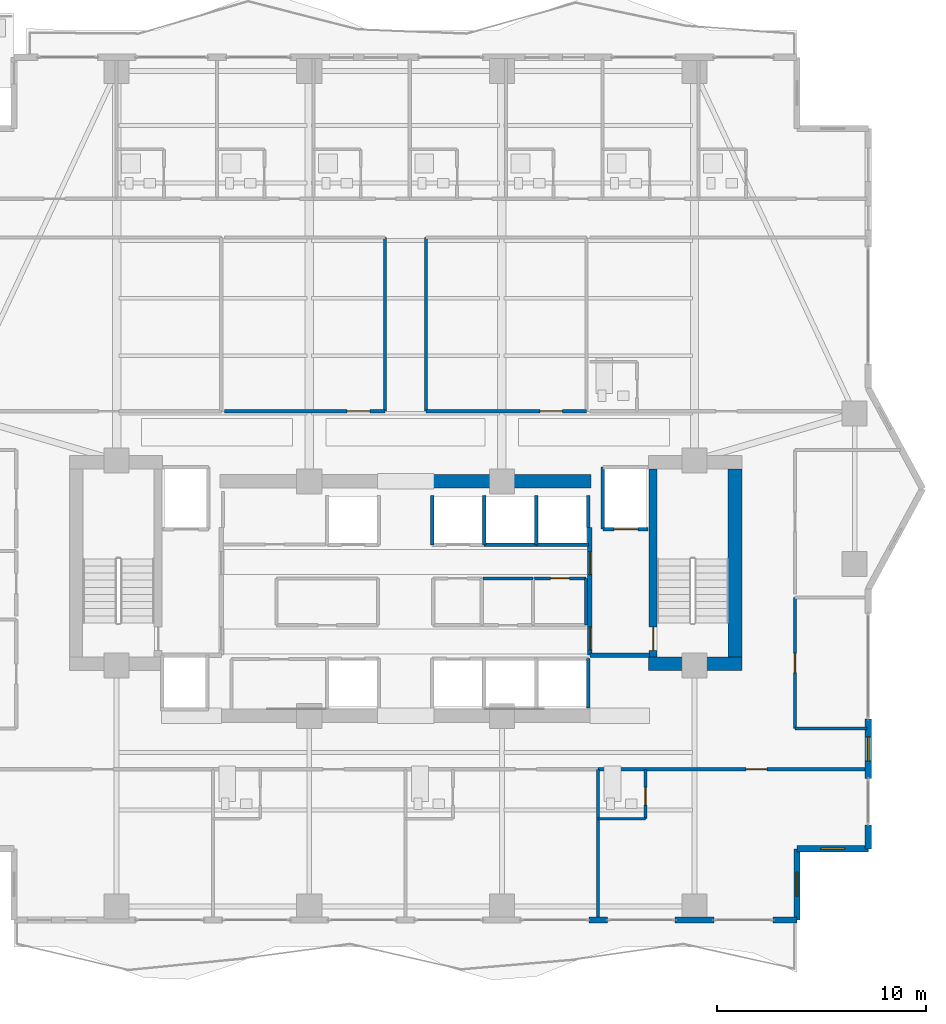
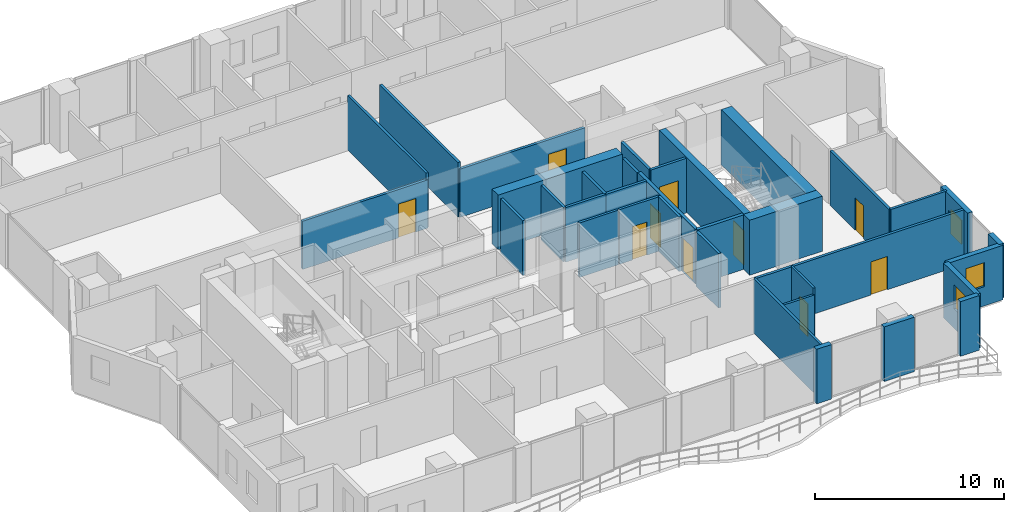
# One storey, part 26 of 33: 35 walls, 10 doors, 3 windows, 13 openings.
"""IFC4 building model written with IfcOpenShell, lengths in metres."""

from ifc_helpers import new_model, si_unit, direction, frame, frame_2d, origin, place, context, subcontext, project, spatial, rectangle, extrude, material, layer, layer_set, type_object, element, fill, save


model = new_model("IFC4")

# Units and contexts
model_context = context("Model", 3, precision=1e-05, world=origin(), true_north=direction((0.0, 1.0)))
body_context = subcontext(model_context, "Body", "Model", "MODEL_VIEW")
ifc_project = project(units=[si_unit("LENGTHUNIT", "METRE"), si_unit("AREAUNIT", "SQUARE_METRE"), si_unit("VOLUMEUNIT", "CUBIC_METRE"), si_unit("PLANEANGLEUNIT", "RADIAN"), si_unit("MASSUNIT", "GRAM", prefix="KILO")], contexts=[model_context])

# Site, building, storey
site_placement = place(None, origin())
site = spatial("IfcSite", under=ifc_project, at=site_placement, CompositionType="ELEMENT")
building_placement = place(site_placement, origin())
building = spatial("IfcBuilding", under=site, at=building_placement, Name="Zuhayl Quay Hotel", CompositionType="ELEMENT")
storey_placement = place(building_placement, frame((0.0, 0.0, 222.39990234375)))
storey = spatial("IfcBuildingStorey", under=building, at=storey_placement, Name="L56", CompositionType="ELEMENT", Elevation=222.39990234375)

# Walls
ifc_material_1 = material(Name="Concrete C50/60", Category="concrete")
ifc_layer_1 = layer(ifc_material_1, 0.64990234375, Name="Concrete C50/60", Category="concrete")
ifc_layer_set_1 = layer_set([ifc_layer_1], Name="Concrete C50/60")
wall_type_1 = type_object("IfcWallType", Name="WL_CORE_650", PredefinedType="SHEAR", material=ifc_layer_set_1)
wall_1_placement = place(storey_placement, frame((15.735107421875, 4.969970703125, 0.0), z_axis=(0.0, 0.0, 1.0), x_axis=(0.0, 1.0, 0.0)))
element("IfcWall", 1, at=wall_1_placement, inside=storey, type_object=wall_type_1, Name="L56 Core Shear Wall CW_E", PredefinedType="SHEAR", context=body_context, shape_type="SweptSolid", body=[
    extrude(rectangle(XDim=8.9599609375, YDim=0.64990234375, at=frame_2d((4.47998046875, 0.0))), origin(), (0.0, 0.0, 1.0), 3.56005859375),
])
wall_2_placement = place(storey_placement, frame((11.60009765625, 4.64501953125, 0.0), z_axis=(0.0, 0.0, 1.0), x_axis=(1.0, 0.0, 0.0)))
element("IfcWall", 2, at=wall_2_placement, inside=storey, type_object=wall_type_1, Name="L56 Core Shear Wall CW_SE", PredefinedType="SHEAR", context=body_context, shape_type="SweptSolid", body=[
    extrude(rectangle(XDim=4.4599609375, YDim=0.64990234375, at=frame_2d((2.22998046875, 0.0))), origin(), (0.0, 0.0, 1.0), 3.56005859375),
])
wall_3_placement = place(storey_placement, frame((1.25, 13.35009765625, 0.0), z_axis=(0.0, 0.0, 1.0), x_axis=(1.0, 0.0, 0.0)))
element("IfcWall", 3, at=wall_3_placement, inside=storey, type_object=wall_type_1, Name="L56 Core Shear Wall CW_NC_E", PredefinedType="SHEAR", context=body_context, shape_type="SweptSolid", body=[
    extrude(rectangle(XDim=7.60009765625, YDim=0.64990234375, at=frame_2d((3.800048828125, 0.0))), origin(), (0.0, 0.0, 1.0), 3.530029296875),
])

# Wall, opening, window
ifc_material_2 = material(Name="Precast concrete C45/55", Category="concrete")
ifc_layer_2 = layer(ifc_material_2, 0.300048828125, Name="Precast concrete C45/55", Category="concrete")
ifc_layer_set_2 = layer_set([ifc_layer_2], Name="Precast concrete C45/55")
wall_type_2 = type_object("IfcWallType", Name="WL_EXT_300", PredefinedType="STANDARD", material=ifc_layer_set_2)
wall_4_placement = place(storey_placement, frame((22.10009765625, 2.0, 0.0), z_axis=(0.0, 0.0, 1.0), x_axis=(0.0, -1.0, 0.0)))
wall_4 = element("IfcWall", 4, at=wall_4_placement, inside=storey, type_object=wall_type_2, Name="L56 Exterior Precast Wall ENV_L56_E14_EW2", PredefinedType="STANDARD", context=body_context, shape_type="SweptSolid", body=[
    extrude(rectangle(XDim=2.85009765625, YDim=0.300048828125, at=frame_2d((1.425048828125, 0.0))), origin(), (0.0, 0.0, 1.0), 3.530029296875),
])
opening_1_placement = place(wall_4_placement, frame((0.85009765625, 0.0, 0.949951171875)))
opening_1 = element("IfcOpeningElement", 5, at=opening_1_placement, cuts=wall_4, Name="Opening W01N", PredefinedType="OPENING", context=body_context, shape_type="SweptSolid", body=[
    extrude(rectangle(XDim=1.14990234375, YDim=1.550048828125, at=frame_2d((0.574951171875, 0.77490234375))), frame((0.0, 0.159912109375, 0.0), z_axis=(0.0, -1.0, 0.0), x_axis=(1.0, 0.0, 0.0)), (0.0, 0.0, 1.0), 0.320068359375),
])
ifc_material_3 = material(Name="Dark Ceramic-Fritted Solar Glass", Category="glass")
window_type = type_object("IfcWindowType", Name="WN_NOTCH_1350", PartitioningType="SINGLE_PANEL", PredefinedType="WINDOW", material=ifc_material_3)
window_1_placement = place(opening_1_placement, origin())
window_1 = element("IfcWindow", 6, at=window_1_placement, inside=storey, type_object=window_type, Name="L56 Operable Facade Window 2-1", OverallHeight=1.550048828125, OverallWidth=1.14990234375, PartitioningType="SINGLE_PANEL", PredefinedType="WINDOW", context=body_context, shape_type="SweptSolid", body=[
    extrude(rectangle(XDim=1.14990234375, YDim=1.550048828125, at=frame_2d((0.574951171875, 0.77490234375))), frame((0.0, 0.030029296875, 0.0), z_axis=(0.0, -1.0, 0.0), x_axis=(1.0, 0.0, 0.0)), (0.0, 0.0, 1.0), 0.06005859375),
])
fill(opening_1, window_1)

# Wall
wall_5_placement = place(storey_placement, frame((22.10009765625, -3.050048828125, 0.0), z_axis=(0.0, 0.0, 1.0), x_axis=(0.0, -1.0, 0.0)))
element("IfcWall", 7, at=wall_5_placement, inside=storey, type_object=wall_type_2, Name="L56 Exterior Precast Wall ENV_L56_E14_EW3", PredefinedType="STANDARD", context=body_context, shape_type="SweptSolid", body=[
    extrude(rectangle(XDim=1.14990234375, YDim=0.300048828125, at=frame_2d((0.574951171875, 0.0))), origin(), (0.0, 0.0, 1.0), 3.530029296875),
])

# Wall, opening, window
wall_6_placement = place(storey_placement, frame((22.10009765625, -4.199951171875, 0.0), z_axis=(0.0, 0.0, 1.0), x_axis=(-1.0, 0.0, 0.0)))
wall_6 = element("IfcWall", 8, at=wall_6_placement, inside=storey, type_object=wall_type_2, Name="L56 Exterior Precast Wall ENV_L56_EW15", PredefinedType="STANDARD", context=body_context, shape_type="SweptSolid", body=[
    extrude(rectangle(XDim=3.400146484375, YDim=0.300048828125, at=frame_2d((1.7001953125, 0.0))), origin(), (0.0, 0.0, 1.0), 3.530029296875),
])
opening_2_placement = place(wall_6_placement, frame((1.125, 0.0, 1.25)))
opening_2 = element("IfcOpeningElement", 9, at=opening_2_placement, cuts=wall_6, Name="Opening W01N", PredefinedType="OPENING", context=body_context, shape_type="SweptSolid", body=[
    extrude(rectangle(XDim=1.14990234375, YDim=1.550048828125, at=frame_2d((0.574951171875, 0.77490234375))), frame((0.0, 0.159912109375, 0.0), z_axis=(0.0, -1.0, 0.0), x_axis=(1.0, 0.0, 0.0)), (0.0, 0.0, 1.0), 0.320068359375),
])
window_2_placement = place(opening_2_placement, origin())
window_2 = element("IfcWindow", 10, at=window_2_placement, inside=storey, type_object=window_type, Name="L56 Corner Notch Window 15", OverallHeight=1.550048828125, OverallWidth=1.14990234375, PartitioningType="SINGLE_PANEL", PredefinedType="WINDOW", context=body_context, shape_type="SweptSolid", body=[
    extrude(rectangle(XDim=1.14990234375, YDim=1.550048828125, at=frame_2d((0.574951171875, 0.77490234375))), frame((0.0, 0.030029296875, 0.0), z_axis=(0.0, -1.0, 0.0), x_axis=(1.0, 0.0, 0.0)), (0.0, 0.0, 1.0), 0.06005859375),
])
fill(opening_2, window_2)

wall_7_placement = place(storey_placement, frame((18.699951171875, -4.199951171875, 0.0), z_axis=(0.0, 0.0, 1.0), x_axis=(0.0, -1.0, 0.0)))
wall_7 = element("IfcWall", 11, at=wall_7_placement, inside=storey, type_object=wall_type_2, Name="L56 Exterior Precast Wall ENV_L56_EW16", PredefinedType="STANDARD", context=body_context, shape_type="SweptSolid", body=[
    extrude(rectangle(XDim=3.400146484375, YDim=0.300048828125, at=frame_2d((1.7001953125, 0.0))), origin(), (0.0, 0.0, 1.0), 3.530029296875),
])
opening_3_placement = place(wall_7_placement, frame((1.125, 0.0, 1.25)))
opening_3 = element("IfcOpeningElement", 12, at=opening_3_placement, cuts=wall_7, Name="Opening W01N", PredefinedType="OPENING", context=body_context, shape_type="SweptSolid", body=[
    extrude(rectangle(XDim=1.14990234375, YDim=1.550048828125, at=frame_2d((0.574951171875, 0.77490234375))), frame((0.0, 0.159912109375, 0.0), z_axis=(0.0, -1.0, 0.0), x_axis=(1.0, 0.0, 0.0)), (0.0, 0.0, 1.0), 0.320068359375),
])
window_3_placement = place(opening_3_placement, origin())
window_3 = element("IfcWindow", 13, at=window_3_placement, inside=storey, type_object=window_type, Name="L56 Corner Notch Window 16", OverallHeight=1.550048828125, OverallWidth=1.14990234375, PartitioningType="SINGLE_PANEL", PredefinedType="WINDOW", context=body_context, shape_type="SweptSolid", body=[
    extrude(rectangle(XDim=1.14990234375, YDim=1.550048828125, at=frame_2d((0.574951171875, 0.77490234375))), frame((0.0, 0.030029296875, 0.0), z_axis=(0.0, -1.0, 0.0), x_axis=(1.0, 0.0, 0.0)), (0.0, 0.0, 1.0), 0.06005859375),
])
fill(opening_3, window_3)

# Walls
wall_8_placement = place(storey_placement, frame((18.699951171875, -7.60009765625, 0.0), z_axis=(0.0, 0.0, 1.0), x_axis=(-1.0, 0.0, 0.0)))
element("IfcWall", 14, at=wall_8_placement, inside=storey, type_object=wall_type_2, Name="L56 Exterior Precast Wall ENV_L56_S_EW1", PredefinedType="STANDARD", context=body_context, shape_type="SweptSolid", body=[
    extrude(rectangle(XDim=1.14990234375, YDim=0.300048828125, at=frame_2d((0.574951171875, 0.0))), origin(), (0.0, 0.0, 1.0), 3.530029296875),
])
wall_9_placement = place(storey_placement, frame((14.719970703125, -7.60009765625, 0.0), z_axis=(0.0, 0.0, 1.0), x_axis=(-1.0, 0.0, 0.0)))
element("IfcWall", 15, at=wall_9_placement, inside=storey, type_object=wall_type_2, Name="L56 Exterior Precast Wall ENV_L56_S_EW2", PredefinedType="STANDARD", context=body_context, shape_type="SweptSolid", body=[
    extrude(rectangle(XDim=1.840087890625, YDim=0.300048828125, at=frame_2d((0.919921875, 0.0))), origin(), (0.0, 0.0, 1.0), 3.530029296875),
])
wall_10_placement = place(storey_placement, frame((9.64990234375, -7.60009765625, 0.0), z_axis=(0.0, 0.0, 1.0), x_axis=(-1.0, 0.0, 0.0)))
element("IfcWall", 16, at=wall_10_placement, inside=storey, type_object=wall_type_2, Name="L56 Exterior Precast Wall ENV_L56_S_EW3", PredefinedType="STANDARD", context=body_context, shape_type="SweptSolid", body=[
    extrude(rectangle(XDim=0.89990234375, YDim=0.300048828125, at=frame_2d((0.449951171875, 0.0))), origin(), (0.0, 0.0, 1.0), 3.530029296875),
])

# Wall, opening, door
ifc_material_4 = material(Name="Acoustic Gypsum Partition STC-58")
ifc_layer_3 = layer(ifc_material_4, 0.14990234375, Name="Acoustic Gypsum Partition STC-58")
ifc_layer_set_3 = layer_set([ifc_layer_3], Name="Acoustic Gypsum Partition STC-58")
wall_type_3 = type_object("IfcWallType", Name="WL_PART_150", PredefinedType="PARTITIONING", material=ifc_layer_set_3)
wall_11_placement = place(storey_placement, frame((6.139892578125, 8.719970703125, 0.0), z_axis=(0.0, 0.0, 1.0), x_axis=(1.0, 0.0, 0.0)))
wall_11 = element("IfcWall", 17, at=wall_11_placement, inside=storey, type_object=wall_type_3, Name="L56 Partition IW_L56_CORE_E3_N", PredefinedType="PARTITIONING", context=body_context, shape_type="SweptSolid", body=[
    extrude(rectangle(XDim=2.47021484375, YDim=0.14990234375, at=frame_2d((1.235107421875, 0.0))), origin(), (0.0, 0.0, 1.0), 3.530029296875),
])
opening_4_placement = place(wall_11_placement, frame((0.784912109375, 0.0, 0.0)))
opening_4 = element("IfcOpeningElement", 18, at=opening_4_placement, cuts=wall_11, Name="Opening D06", PredefinedType="OPENING", context=body_context, shape_type="SweptSolid", body=[
    extrude(rectangle(XDim=0.89990234375, YDim=2.14990234375, at=frame_2d((0.449951171875, 1.074951171875))), frame((0.0, 0.0849609375, 0.0), z_axis=(0.0, -1.0, 0.0), x_axis=(1.0, 0.0, 0.0)), (0.0, 0.0, 1.0), 0.169921875),
])
ifc_material_5 = material(Name="Steel ASTM A992 Grade 50", Category="steel")
door_type_1 = type_object("IfcDoorType", Name="DR_INT_900", OperationType="NOTDEFINED", PredefinedType="DOOR", material=ifc_material_5)
door_1_placement = place(opening_4_placement, origin())
door_1 = element("IfcDoor", 19, at=door_1_placement, inside=storey, type_object=door_type_1, Name="L56 Janitor and Cleaners Store Door", OperationType="SINGLE_SWING_LEFT", OverallHeight=2.14990234375, OverallWidth=0.89990234375, PredefinedType="DOOR", context=body_context, shape_type="SweptSolid", body=[
    extrude(rectangle(XDim=0.89990234375, YDim=2.14990234375, at=frame_2d((0.449951171875, 1.074951171875))), frame((0.0, 0.02490234375, 0.0), z_axis=(0.0, -1.0, 0.0), x_axis=(1.0, 0.0, 0.0)), (0.0, 0.0, 1.0), 0.050048828125),
])
fill(opening_4, door_1)

# Walls
wall_12_placement = place(storey_placement, frame((3.699951171875, 8.719970703125, 0.0), z_axis=(0.0, 0.0, 1.0), x_axis=(1.0, 0.0, 0.0)))
element("IfcWall", 20, at=wall_12_placement, inside=storey, type_object=wall_type_3, Name="L56 Partition IW_L56_CORE_E2_N", PredefinedType="PARTITIONING", context=body_context, shape_type="SweptSolid", body=[
    extrude(rectangle(XDim=2.380126953125, YDim=0.14990234375, at=frame_2d((1.18994140625, 0.0))), origin(), (0.0, 0.0, 1.0), 3.530029296875),
])
wall_13_placement = place(storey_placement, frame((8.610107421875, 6.47998046875, 0.0), z_axis=(0.0, 0.0, 1.0), x_axis=(0.0, 1.0, 0.0)))
element("IfcWall", 21, at=wall_13_placement, inside=storey, type_object=wall_type_3, Name="L56 Partition IW_L56_CORE_E3_E", PredefinedType="PARTITIONING", context=body_context, shape_type="SweptSolid", body=[
    extrude(rectangle(XDim=2.239990234375, YDim=0.14990234375, at=frame_2d((1.1201171875, 0.0))), origin(), (0.0, 0.0, 1.0), 3.530029296875),
])
for number, where, z_axis, x_axis, name in (
    (22, (-0.97998046875, 16.699951171875, 0.0), (0.0, 0.0, 1.0), (0.0, 1.0, 0.0), "L56 Partition IW_L56_Z3_MID_W_E"),
    (23, (0.97998046875, 16.699951171875, 0.0), (0.0, 0.0, 1.0), (0.0, 1.0, 0.0), "L56 Partition IW_L56_Z3_MID_E_W"),
):
    element("IfcWall", number, at=place(storey_placement, frame(where, z_axis=z_axis, x_axis=x_axis)), inside=storey, type_object=wall_type_3, Name=name, PredefinedType="PARTITIONING", context=body_context, shape_type="SweptSolid", body=[
        extrude(rectangle(XDim=8.300048828125, YDim=0.14990234375, at=frame_2d((4.14990234375, 0.0))), origin(), (0.0, 0.0, 1.0), 3.530029296875),
    ])
wall_14_placement = place(storey_placement, frame((9.199951171875, -7.52001953125, 0.0), z_axis=(0.0, 0.0, 1.0), x_axis=(0.0, 1.0, 0.0)))
element("IfcWall", 24, at=wall_14_placement, inside=storey, type_object=wall_type_3, Name="L56 Partition IW_L56_SU03_E", PredefinedType="PARTITIONING", context=body_context, shape_type="SweptSolid", body=[
    extrude(rectangle(XDim=7.1201171875, YDim=0.14990234375, at=frame_2d((3.56005859375, 0.0))), origin(), (0.0, 0.0, 1.0), 3.530029296875),
])
wall_15_placement = place(storey_placement, frame((18.60009765625, 1.550048828125, 0.0), z_axis=(0.0, 0.0, 1.0), x_axis=(1.0, 0.0, 0.0)))
element("IfcWall", 25, at=wall_15_placement, inside=storey, type_object=wall_type_3, Name="L56 Partition IW_L56_HK_MAIN_S", PredefinedType="PARTITIONING", context=body_context, shape_type="SweptSolid", body=[
    extrude(rectangle(XDim=3.43994140625, YDim=0.14990234375, at=frame_2d((1.719970703125, 0.0))), origin(), (0.0, 0.0, 1.0), 3.530029296875),
])

# Wall, opening, door
ifc_layer_4 = layer(ifc_material_4, 0.159912109375, Name="Acoustic Gypsum Partition STC-58")
ifc_layer_set_4 = layer_set([ifc_layer_4], Name="Acoustic Gypsum Partition STC-58")
wall_type_4 = type_object("IfcWallType", Name="WL_PART_CORR_160", PredefinedType="PARTITIONING", material=ifc_layer_set_4)
wall_16_placement = place(storey_placement, frame((-8.639892578125, 16.699951171875, 0.0), z_axis=(0.0, 0.0, 1.0), x_axis=(1.0, 0.0, 0.0)))
wall_16 = element("IfcWall", 26, at=wall_16_placement, inside=storey, type_object=wall_type_4, Name="L56 Partition IW_L56_Z3_MID_W_S", PredefinedType="PARTITIONING", context=body_context, shape_type="SweptSolid", body=[
    extrude(rectangle(XDim=7.659912109375, YDim=0.159912109375, at=frame_2d((3.830078125, 0.0))), origin(), (0.0, 0.0, 1.0), 3.1240234375),
])
opening_5_placement = place(wall_16_placement, frame((5.85009765625, 0.0, 0.0)))
opening_5 = element("IfcOpeningElement", 27, at=opening_5_placement, cuts=wall_16, Name="Opening D05A", PredefinedType="OPENING", context=body_context, shape_type="SweptSolid", body=[
    extrude(rectangle(XDim=1.080078125, YDim=2.179931640625, at=frame_2d((0.5400390625, 1.08984375))), frame((0.0, 0.08984375, 0.0), z_axis=(0.0, -1.0, 0.0), x_axis=(1.0, 0.0, 0.0)), (0.0, 0.0, 1.0), 0.179931640625),
])
ifc_material_6 = material(Name="Solid Walnut Acoustic Fire Door")
door_type_2 = type_object("IfcDoorType", Name="DR_INT_1100", OperationType="NOTDEFINED", PredefinedType="DOOR", material=ifc_material_6)
door_2_placement = place(opening_5_placement, origin())
door_2 = element("IfcDoor", 28, at=door_2_placement, inside=storey, type_object=door_type_2, Name="L56 Club Salon Boardroom Door", OperationType="SINGLE_SWING_RIGHT", OverallHeight=2.179931640625, OverallWidth=1.080078125, PredefinedType="DOOR", context=body_context, shape_type="SweptSolid", body=[
    extrude(rectangle(XDim=1.080078125, YDim=2.179931640625, at=frame_2d((0.5400390625, 1.08984375))), frame((0.0, 0.02490234375, 0.0), z_axis=(0.0, -1.0, 0.0), x_axis=(1.0, 0.0, 0.0)), (0.0, 0.0, 1.0), 0.050048828125),
])
fill(opening_5, door_2)

wall_17_placement = place(storey_placement, frame((0.97998046875, 16.699951171875, 0.0), z_axis=(0.0, 0.0, 1.0), x_axis=(1.0, 0.0, 0.0)))
wall_17 = element("IfcWall", 29, at=wall_17_placement, inside=storey, type_object=wall_type_4, Name="L56 Partition IW_L56_Z3_MID_E_S", PredefinedType="PARTITIONING", context=body_context, shape_type="SweptSolid", body=[
    extrude(rectangle(XDim=7.659912109375, YDim=0.159912109375, at=frame_2d((3.830078125, 0.0))), origin(), (0.0, 0.0, 1.0), 3.1240234375),
])
opening_6_placement = place(wall_17_placement, frame((5.429931640625, 0.0, 0.0)))
opening_6 = element("IfcOpeningElement", 30, at=opening_6_placement, cuts=wall_17, Name="Opening D05A", PredefinedType="OPENING", context=body_context, shape_type="SweptSolid", body=[
    extrude(rectangle(XDim=1.080078125, YDim=2.179931640625, at=frame_2d((0.5400390625, 1.08984375))), frame((0.0, 0.08984375, 0.0), z_axis=(0.0, -1.0, 0.0), x_axis=(1.0, 0.0, 0.0)), (0.0, 0.0, 1.0), 0.179931640625),
])
door_3_placement = place(opening_6_placement, origin())
door_3 = element("IfcDoor", 31, at=door_3_placement, inside=storey, type_object=door_type_2, Name="L56 Horizon Screening Salon Door", OperationType="SINGLE_SWING_LEFT", OverallHeight=2.179931640625, OverallWidth=1.080078125, PredefinedType="DOOR", context=body_context, shape_type="SweptSolid", body=[
    extrude(rectangle(XDim=1.080078125, YDim=2.179931640625, at=frame_2d((0.5400390625, 1.08984375))), frame((0.0, 0.02490234375, 0.0), z_axis=(0.0, -1.0, 0.0), x_axis=(1.0, 0.0, 0.0)), (0.0, 0.0, 1.0), 0.050048828125),
])
fill(opening_6, door_3)

wall_18_placement = place(storey_placement, frame((9.199951171875, -0.39990234375, 0.0), z_axis=(0.0, 0.0, 1.0), x_axis=(1.0, 0.0, 0.0)))
wall_18 = element("IfcWall", 32, at=wall_18_placement, inside=storey, type_object=wall_type_4, Name="L56 Partition IW_L56_SU04_COR", PredefinedType="PARTITIONING", context=body_context, shape_type="SweptSolid", body=[
    extrude(rectangle(XDim=12.840087890625, YDim=0.159912109375, at=frame_2d((6.419921875, 0.0))), origin(), (0.0, 0.0, 1.0), 3.530029296875),
])
opening_7_placement = place(wall_18_placement, frame((7.070068359375, 0.0, 0.0)))
opening_7 = element("IfcOpeningElement", 33, at=opening_7_placement, cuts=wall_18, Name="Opening D03L", PredefinedType="OPENING", context=body_context, shape_type="SweptSolid", body=[
    extrude(rectangle(XDim=1.0, YDim=2.14990234375, at=frame_2d((0.5, 1.074951171875))), frame((0.0, 0.08984375, 0.0), z_axis=(0.0, -1.0, 0.0), x_axis=(1.0, 0.0, 0.0)), (0.0, 0.0, 1.0), 0.179931640625),
])
door_type_3 = type_object("IfcDoorType", Name="DR_SUITE_1000", OperationType="NOTDEFINED", PredefinedType="DOOR", material=ifc_material_6)
door_4_placement = place(opening_7_placement, origin())
door_4 = element("IfcDoor", 34, at=door_4_placement, inside=storey, type_object=door_type_3, Name="L56 City-View Junior Suite L56-04 Entrance Door", OperationType="SINGLE_SWING_LEFT", OverallHeight=2.14990234375, OverallWidth=1.0, PredefinedType="DOOR", context=body_context, shape_type="SweptSolid", body=[
    extrude(rectangle(XDim=1.0, YDim=2.14990234375, at=frame_2d((0.5, 1.074951171875))), frame((0.0, 0.02490234375, 0.0), z_axis=(0.0, -1.0, 0.0), x_axis=(1.0, 0.0, 0.0)), (0.0, 0.0, 1.0), 0.050048828125),
])
fill(opening_7, door_4)

wall_19_placement = place(storey_placement, frame((18.60009765625, 1.550048828125, 0.0), z_axis=(0.0, 0.0, 1.0), x_axis=(0.0, 1.0, 0.0)))
wall_19 = element("IfcWall", 35, at=wall_19_placement, inside=storey, type_object=wall_type_4, Name="L56 Partition IW_L56_HK_MAIN_W", PredefinedType="PARTITIONING", context=body_context, shape_type="SweptSolid", body=[
    extrude(rectangle(XDim=6.25, YDim=0.159912109375, at=frame_2d((3.125, 0.0))), origin(), (0.0, 0.0, 1.0), 3.530029296875),
])
opening_8_placement = place(wall_19_placement, frame((2.6650390625, 0.0, 0.0)))
opening_8 = element("IfcOpeningElement", 36, at=opening_8_placement, cuts=wall_19, Name="Opening D05", PredefinedType="OPENING", context=body_context, shape_type="SweptSolid", body=[
    extrude(rectangle(XDim=0.919921875, YDim=2.1201171875, at=frame_2d((0.4599609375, 1.06005859375))), frame((0.0, 0.08984375, 0.0), z_axis=(0.0, -1.0, 0.0), x_axis=(1.0, 0.0, 0.0)), (0.0, 0.0, 1.0), 0.179931640625),
])
door_type_4 = type_object("IfcDoorType", Name="DR_INT_950", OperationType="NOTDEFINED", PredefinedType="DOOR", material=ifc_material_6)
door_5_placement = place(opening_8_placement, origin())
door_5 = element("IfcDoor", 37, at=door_5_placement, inside=storey, type_object=door_type_4, Name="L56 Housekeeping and Linen Room Door", OperationType="SINGLE_SWING_RIGHT", OverallHeight=2.1201171875, OverallWidth=0.919921875, PredefinedType="DOOR", context=body_context, shape_type="SweptSolid", body=[
    extrude(rectangle(XDim=0.919921875, YDim=2.1201171875, at=frame_2d((0.4599609375, 1.06005859375))), frame((0.0, 0.02490234375, 0.0), z_axis=(0.0, -1.0, 0.0), x_axis=(1.0, 0.0, 0.0)), (0.0, 0.0, 1.0), 0.050048828125),
])
fill(opening_8, door_5)

ifc_material_7 = material(Name="Moisture-Resistant Sanitarychase Gypsum")
ifc_layer_5 = layer(ifc_material_7, 0.135009765625, Name="Moisture-Resistant Sanitarychase Gypsum")
ifc_layer_set_5 = layer_set([ifc_layer_5], Name="Moisture-Resistant Sanitarychase Gypsum")
wall_type_5 = type_object("IfcWallType", Name="WL_PART_PLUMB_150", PredefinedType="PLUMBINGWALL", material=ifc_layer_set_5)
wall_20_placement = place(storey_placement, frame((11.4599609375, -2.760009765625, 0.0), z_axis=(0.0, 0.0, 1.0), x_axis=(0.0, 1.0, 0.0)))
wall_20 = element("IfcWall", 38, at=wall_20_placement, inside=storey, type_object=wall_type_5, Name="L56 Partition IW_L56_SU04_BE", PredefinedType="PLUMBINGWALL", context=body_context, shape_type="SweptSolid", body=[
    extrude(rectangle(XDim=2.360107421875, YDim=0.135009765625, at=frame_2d((1.18017578125, 0.0))), origin(), (0.0, 0.0, 1.0), 3.530029296875),
])
opening_9_placement = place(wall_20_placement, frame((0.64990234375, 0.0, 0.0)))
opening_9 = element("IfcOpeningElement", 39, at=opening_9_placement, cuts=wall_20, Name="Opening D04", PredefinedType="OPENING", context=body_context, shape_type="SweptSolid", body=[
    extrude(rectangle(XDim=0.85009765625, YDim=2.10009765625, at=frame_2d((0.425048828125, 1.050048828125))), frame((0.0, 0.077392578125, 0.0), z_axis=(0.0, -1.0, 0.0), x_axis=(1.0, 0.0, 0.0)), (0.0, 0.0, 1.0), 0.155029296875),
])
ifc_material_8 = material(Name="Moisture-Resistant Walnut Veneer")
door_type_5 = type_object("IfcDoorType", Name="DR_BATH_850", OperationType="NOTDEFINED", PredefinedType="DOOR", material=ifc_material_8)
door_6_placement = place(opening_9_placement, origin())
door_6 = element("IfcDoor", 40, at=door_6_placement, inside=storey, type_object=door_type_5, Name="L56 City-View Junior Suite L56-04 En-Suite Door", OperationType="SINGLE_SWING_RIGHT", OverallHeight=2.10009765625, OverallWidth=0.85009765625, PredefinedType="DOOR", context=body_context, shape_type="SweptSolid", body=[
    extrude(rectangle(XDim=0.85009765625, YDim=2.10009765625, at=frame_2d((0.425048828125, 1.050048828125))), frame((0.0, 0.02490234375, 0.0), z_axis=(0.0, -1.0, 0.0), x_axis=(1.0, 0.0, 0.0)), (0.0, 0.0, 1.0), 0.050048828125),
])
fill(opening_9, door_6)

# Wall
wall_21_placement = place(storey_placement, frame((9.199951171875, -2.760009765625, 0.0), z_axis=(0.0, 0.0, 1.0), x_axis=(1.0, 0.0, 0.0)))
element("IfcWall", 41, at=wall_21_placement, inside=storey, type_object=wall_type_5, Name="L56 Partition IW_L56_SU04_BS", PredefinedType="PLUMBINGWALL", context=body_context, shape_type="SweptSolid", body=[
    extrude(rectangle(XDim=2.260009765625, YDim=0.135009765625, at=frame_2d((1.1298828125, 0.0))), origin(), (0.0, 0.0, 1.0), 3.1240234375),
])

# Wall, opening, door
ifc_material_9 = material(Name="Gypsum Fireboard Assembly EI-90")
ifc_layer_6 = layer(ifc_material_9, 0.1650390625, Name="Gypsum Fireboard Assembly EI-90")
ifc_layer_set_6 = layer_set([ifc_layer_6], Name="Gypsum Fireboard Assembly EI-90")
wall_type_6 = type_object("IfcWallType", Name="WL_PART_SHAFT_160", PredefinedType="PARTITIONING", material=ifc_layer_set_6)
wall_22_placement = place(storey_placement, frame((9.419921875, 11.070068359375, 0.0), z_axis=(0.0, 0.0, 1.0), x_axis=(1.0, 0.0, 0.0)))
wall_22 = element("IfcWall", 42, at=wall_22_placement, inside=storey, type_object=wall_type_6, Name="L56 Partition IW_L56_SH_FL2_F", PredefinedType="PARTITIONING", context=body_context, shape_type="SweptSolid", body=[
    extrude(rectangle(XDim=2.16015625, YDim=0.1650390625, at=frame_2d((1.080078125, 0.0))), origin(), (0.0, 0.0, 1.0), 3.530029296875),
])
opening_10_placement = place(wall_22_placement, frame((0.530029296875, 0.0, 0.0)))
opening_10 = element("IfcOpeningElement", 43, at=opening_10_placement, cuts=wall_22, Name="Opening LD2", PredefinedType="OPENING", context=body_context, shape_type="SweptSolid", body=[
    extrude(rectangle(XDim=1.14990234375, YDim=2.25, at=frame_2d((0.574951171875, 1.125))), frame((0.0, 0.092529296875, 0.0), z_axis=(0.0, -1.0, 0.0), x_axis=(1.0, 0.0, 0.0)), (0.0, 0.0, 1.0), 0.18505859375),
])
ifc_material_10 = material(Name="Brushed Stainless Steel", Category="steel")
door_type_6 = type_object("IfcDoorType", Name="DR_LIFT_FF_1100", OperationType="SLIDING_TO_LEFT", PredefinedType="DOOR", material=ifc_material_10)
door_7_placement = place(opening_10_placement, origin())
door_7 = element("IfcDoor", 44, at=door_7_placement, inside=storey, type_object=door_type_6, Name="L56 Lift FL2 Sliding Landing Door", OperationType="SLIDING_TO_LEFT", OverallHeight=2.25, OverallWidth=1.14990234375, PredefinedType="DOOR", context=body_context, shape_type="SweptSolid", body=[
    extrude(rectangle(XDim=1.14990234375, YDim=2.25, at=frame_2d((0.574951171875, 1.125))), frame((0.0, 0.02490234375, 0.0), z_axis=(0.0, -1.0, 0.0), x_axis=(1.0, 0.0, 0.0)), (0.0, 0.0, 1.0), 0.050048828125),
])
fill(opening_10, door_7)

# Walls
wall_23_placement = place(storey_placement, frame((9.419921875, 11.070068359375, 0.0), z_axis=(0.0, 0.0, 1.0), x_axis=(0.0, 1.0, 0.0)))
element("IfcWall", 45, at=wall_23_placement, inside=storey, type_object=wall_type_6, Name="L56 Partition IW_L56_SH_FL2_W", PredefinedType="PARTITIONING", context=body_context, shape_type="SweptSolid", body=[
    extrude(rectangle(XDim=2.9599609375, YDim=0.1650390625, at=frame_2d((1.47998046875, 0.0))), origin(), (0.0, 0.0, 1.0), 3.530029296875),
])
for number, where, z_axis, x_axis, name in (
    (46, (1.27001953125, 10.320068359375, 0.0), (0.0, 0.0, 1.0), (0.0, 1.0, 0.0), "L56 Partition IW_L56_SH_MP4_W"),
    (47, (3.75, 10.320068359375, 0.0), (0.0, 0.0, 1.0), (0.0, 1.0, 0.0), "L56 Partition IW_L56_SH_MP4_E"),
    (48, (8.72998046875, 2.52001953125, 0.0), (0.0, 0.0, 1.0), (0.0, 1.0, 0.0), "L56 Partition IW_L56_SH_HP2_E"),
):
    element("IfcWall", number, at=place(storey_placement, frame(where, z_axis=z_axis, x_axis=x_axis)), inside=storey, type_object=wall_type_6, Name=name, PredefinedType="PARTITIONING", context=body_context, shape_type="SweptSolid", body=[
        extrude(rectangle(XDim=2.35986328125, YDim=0.1650390625, at=frame_2d((1.179931640625, 0.0))), origin(), (0.0, 0.0, 1.0), 3.530029296875),
    ])
wall_24_placement = place(storey_placement, frame((3.75, 10.320068359375, 0.0), z_axis=(0.0, 0.0, 1.0), x_axis=(1.0, 0.0, 0.0)))
element("IfcWall", 49, at=wall_24_placement, inside=storey, type_object=wall_type_6, Name="L56 Partition IW_L56_SH_HP3_F", PredefinedType="PARTITIONING", context=body_context, shape_type="SweptSolid", body=[
    extrude(rectangle(XDim=2.5, YDim=0.1650390625, at=frame_2d((1.25, 0.0))), origin(), (0.0, 0.0, 1.0), 3.530029296875),
])
wall_25_placement = place(storey_placement, frame((6.25, 10.320068359375, 0.0), z_axis=(0.0, 0.0, 1.0), x_axis=(0.0, 1.0, 0.0)))
element("IfcWall", 50, at=wall_25_placement, inside=storey, type_object=wall_type_6, Name="L56 Partition IW_L56_SH_HP3_E", PredefinedType="PARTITIONING", context=body_context, shape_type="SweptSolid", body=[
    extrude(rectangle(XDim=2.35986328125, YDim=0.1650390625, at=frame_2d((1.179931640625, 0.0))), origin(), (0.0, 0.0, 1.0), 3.530029296875),
])
wall_26_placement = place(storey_placement, frame((6.25, 10.320068359375, 0.0), z_axis=(0.0, 0.0, 1.0), x_axis=(1.0, 0.0, 0.0)))
element("IfcWall", 51, at=wall_26_placement, inside=storey, type_object=wall_type_6, Name="L56 Partition IW_L56_SH_HP4_F", PredefinedType="PARTITIONING", context=body_context, shape_type="SweptSolid", body=[
    extrude(rectangle(XDim=2.47998046875, YDim=0.1650390625, at=frame_2d((1.239990234375, 0.0))), origin(), (0.0, 0.0, 1.0), 3.530029296875),
])
wall_27_placement = place(storey_placement, frame((8.72998046875, 11.14990234375, 0.0), z_axis=(0.0, 0.0, 1.0), x_axis=(0.0, 1.0, 0.0)))
element("IfcWall", 52, at=wall_27_placement, inside=storey, type_object=wall_type_6, Name="L56 Partition IW_L56_SH_HP4_E", PredefinedType="PARTITIONING", context=body_context, shape_type="SweptSolid", body=[
    extrude(rectangle(XDim=1.530029296875, YDim=0.1650390625, at=frame_2d((0.76513671875, 0.0))), origin(), (0.0, 0.0, 1.0), 3.530029296875),
])

# Wall, openings, doors
ifc_material_11 = material(Name="Gypsum Fireboard Assembly EI-120")
ifc_layer_7 = layer(ifc_material_11, 0.199951171875, Name="Gypsum Fireboard Assembly EI-120")
ifc_layer_set_7 = layer_set([ifc_layer_7], Name="Gypsum Fireboard Assembly EI-120")
wall_type_7 = type_object("IfcWallType", Name="WL_PART_SHAFT_200", PredefinedType="PARTITIONING", material=ifc_layer_set_7)
wall_28_placement = place(storey_placement, frame((8.800048828125, 11.14990234375, 0.0), z_axis=(0.0, 0.0, 1.0), x_axis=(0.0, -1.0, 0.0)))
wall_28 = element("IfcWall", 53, at=wall_28_placement, inside=storey, type_object=wall_type_7, Name="L56 Partition IW_L56_FSAE_E_W", PredefinedType="PARTITIONING", context=body_context, shape_type="SweptSolid", body=[
    extrude(rectangle(XDim=6.099853515625, YDim=0.199951171875, at=frame_2d((3.0498046875, 0.0))), origin(), (0.0, 0.0, 1.0), 3.530029296875),
])
opening_11_placement = place(wall_28_placement, frame((1.14990234375, 0.0, 0.0)))
opening_11 = element("IfcOpeningElement", 54, at=opening_11_placement, cuts=wall_28, Name="Opening D02", PredefinedType="OPENING", context=body_context, shape_type="SweptSolid", body=[
    extrude(rectangle(XDim=1.10009765625, YDim=2.199951171875, at=frame_2d((0.550048828125, 1.10009765625))), frame((0.0, 0.10986328125, 0.0), z_axis=(0.0, -1.0, 0.0), x_axis=(1.0, 0.0, 0.0)), (0.0, 0.0, 1.0), 0.219970703125),
])
opening_12_placement = place(wall_28_placement, frame((4.75, 0.0, 0.0)))
opening_12 = element("IfcOpeningElement", 55, at=opening_12_placement, cuts=wall_28, Name="Opening D02", PredefinedType="OPENING", context=body_context, shape_type="SweptSolid", body=[
    extrude(rectangle(XDim=1.10009765625, YDim=2.199951171875, at=frame_2d((0.550048828125, 1.10009765625))), frame((0.0, 0.10986328125, 0.0), z_axis=(0.0, -1.0, 0.0), x_axis=(1.0, 0.0, 0.0)), (0.0, 0.0, 1.0), 0.219970703125),
])
door_type_7 = type_object("IfcDoorType", Name="DR_FIRE_90_1100", OperationType="NOTDEFINED", PredefinedType="DOOR", material=ifc_material_5)
door_8_placement = place(opening_11_placement, origin())
door_8 = element("IfcDoor", 56, at=door_8_placement, inside=storey, type_object=door_type_7, Name="L56 FSAE Lobby East North Entry Door", OperationType="SINGLE_SWING_RIGHT", OverallHeight=2.199951171875, OverallWidth=1.10009765625, PredefinedType="DOOR", context=body_context, shape_type="SweptSolid", body=[
    extrude(rectangle(XDim=1.10009765625, YDim=2.199951171875, at=frame_2d((0.550048828125, 1.10009765625))), frame((0.0, 0.02490234375, 0.0), z_axis=(0.0, -1.0, 0.0), x_axis=(1.0, 0.0, 0.0)), (0.0, 0.0, 1.0), 0.050048828125),
])
fill(opening_11, door_8)
door_9_placement = place(opening_12_placement, origin())
door_9 = element("IfcDoor", 57, at=door_9_placement, inside=storey, type_object=door_type_7, Name="L56 FSAE Lobby East South Entry Door", OperationType="SINGLE_SWING_LEFT", OverallHeight=2.199951171875, OverallWidth=1.10009765625, PredefinedType="DOOR", context=body_context, shape_type="SweptSolid", body=[
    extrude(rectangle(XDim=1.10009765625, YDim=2.199951171875, at=frame_2d((0.550048828125, 1.10009765625))), frame((0.0, 0.02490234375, 0.0), z_axis=(0.0, -1.0, 0.0), x_axis=(1.0, 0.0, 0.0)), (0.0, 0.0, 1.0), 0.050048828125),
])
fill(opening_12, door_9)

# Wall
wall_29_placement = place(storey_placement, frame((8.800048828125, 5.050048828125, 0.0), z_axis=(0.0, 0.0, 1.0), x_axis=(1.0, 0.0, 0.0)))
element("IfcWall", 58, at=wall_29_placement, inside=storey, type_object=wall_type_7, Name="L56 Partition IW_L56_FSAE_E_S", PredefinedType="PARTITIONING", context=body_context, shape_type="SweptSolid", body=[
    extrude(rectangle(XDim=2.849853515625, YDim=0.199951171875, at=frame_2d((1.4248046875, 0.0))), origin(), (0.0, 0.0, 1.0), 3.530029296875),
])

# Wall, opening, door
ifc_material_12 = material(Name="Concrete C60/75", Category="concrete")
ifc_layer_8 = layer(ifc_material_12, 0.39990234375, Name="Concrete C60/75", Category="concrete")
ifc_layer_set_8 = layer_set([ifc_layer_8], Name="Concrete C60/75")
wall_type_8 = type_object("IfcWallType", Name="WL_STAIR_400", PredefinedType="SHEAR", material=ifc_layer_set_8)
wall_30_placement = place(storey_placement, frame((11.820068359375, 13.929931640625, 0.0), z_axis=(0.0, 0.0, 1.0), x_axis=(0.0, -1.0, 0.0)))
wall_30 = element("IfcWall", 59, at=wall_30_placement, inside=storey, type_object=wall_type_8, Name="L56 Core Shear Wall SW_ST2", PredefinedType="SHEAR", context=body_context, shape_type="SweptSolid", body=[
    extrude(rectangle(XDim=8.9599609375, YDim=0.39990234375, at=frame_2d((4.47998046875, 0.0))), origin(), (0.0, 0.0, 1.0), 3.56005859375),
])
opening_13_placement = place(wall_30_placement, frame((7.530029296875, 0.0, 0.0)))
opening_13 = element("IfcOpeningElement", 60, at=opening_13_placement, cuts=wall_30, Name="Opening D01", PredefinedType="OPENING", context=body_context, shape_type="SweptSolid", body=[
    extrude(rectangle(XDim=1.1201171875, YDim=2.219970703125, at=frame_2d((0.56005859375, 1.10986328125))), frame((0.0, 0.2099609375, 0.0), z_axis=(0.0, -1.0, 0.0), x_axis=(1.0, 0.0, 0.0)), (0.0, 0.0, 1.0), 0.419921875),
])
door_type_8 = type_object("IfcDoorType", Name="DR_STAIR_90_1100", OperationType="NOTDEFINED", PredefinedType="DOOR", material=ifc_material_5)
door_10_placement = place(opening_13_placement, origin())
door_10 = element("IfcDoor", 61, at=door_10_placement, inside=storey, type_object=door_type_8, Name="L56 Smokeproof Exit Stair ST2 Door", OperationType="SINGLE_SWING_RIGHT", OverallHeight=2.219970703125, OverallWidth=1.1201171875, PredefinedType="DOOR", context=body_context, shape_type="SweptSolid", body=[
    extrude(rectangle(XDim=1.1201171875, YDim=2.219970703125, at=frame_2d((0.56005859375, 1.10986328125))), frame((0.0, 0.02490234375, 0.0), z_axis=(0.0, -1.0, 0.0), x_axis=(1.0, 0.0, 0.0)), (0.0, 0.0, 1.0), 0.050048828125),
])
fill(opening_13, door_10)

save(model, "model.ifc")
